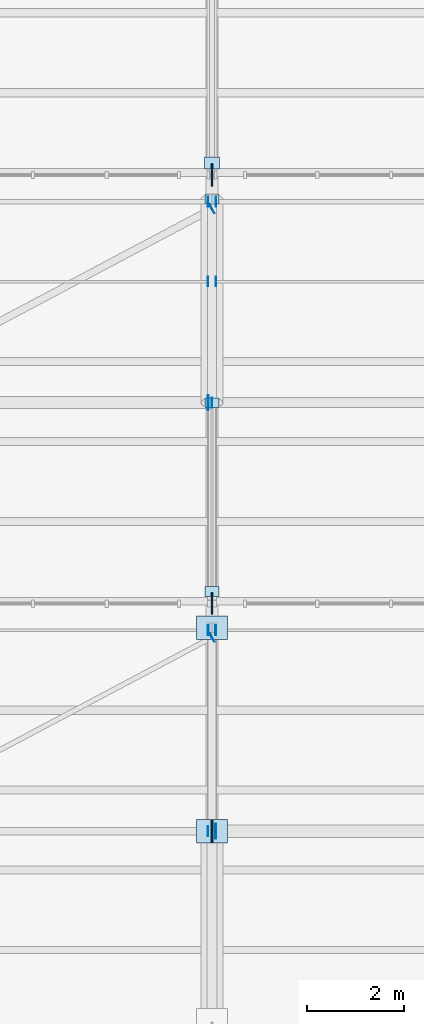
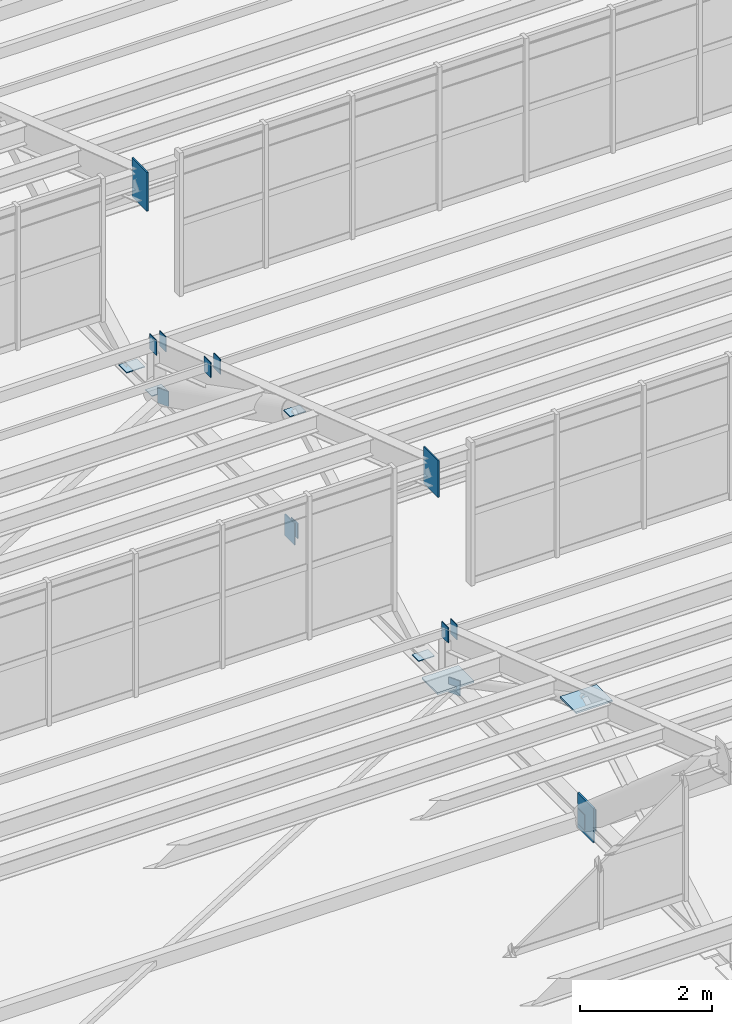
# One storey, part 204 of 285: 21 plates.
"""IFC4 building model written with IfcOpenShell, lengths in metres."""

from ifc_helpers import new_model, si_unit, direction, frame, origin, origin_2d, place, context, subcontext, project, spatial, rectangle, extrude, material, layer, layer_set, type_object, element, save


model = new_model("IFC4")

# Units and contexts
model_context = context("Model", 3, precision=1e-05, world=origin(), true_north=direction((0.0, 1.0)))
body_context = subcontext(model_context, "Body", "Model", "MODEL_VIEW")
ifc_project = project(units=[si_unit("LENGTHUNIT", "METRE"), si_unit("AREAUNIT", "SQUARE_METRE"), si_unit("VOLUMEUNIT", "CUBIC_METRE"), si_unit("PLANEANGLEUNIT", "RADIAN"), si_unit("MASSUNIT", "GRAM", prefix="KILO")], contexts=[model_context])

# Site, building, storey
site_placement = place(None, origin())
site = spatial("IfcSite", under=ifc_project, at=site_placement, CompositionType="ELEMENT")
building_placement = place(site_placement, origin())
building = spatial("IfcBuilding", under=site, at=building_placement, Name="Solanera Park Tramway Depot", CompositionType="ELEMENT")
storey_placement = place(building_placement, origin())
storey = spatial("IfcBuildingStorey", under=building, at=storey_placement, Name="L00", CompositionType="ELEMENT", Elevation=0.0)

# Plates
ifc_material_1 = material(Name="Steel AS/NZS 3679.1 Grade 350", Category="steel")
ifc_layer_1 = layer(ifc_material_1, 0.013916015625)
ifc_layer_set_1 = layer_set([ifc_layer_1], Name="Steel AS/NZS 3679.1 Grade 350")
plate_type_1 = type_object("IfcPlateType", Name="Hollow End Cap and Base Plate 280x200x14", PredefinedType="USERDEFINED", material=ifc_layer_set_1)
for number, where, z_axis, x_axis, name in (
    (1, (29.922119140625, 99.449951171875, 7.30615234375), (0.0, 0.0, 1.0), (1.0, 0.0, 0.0), "Hollow Section Welded End Cap Plate #0484"),
    (2, (30.077880859375, 99.449951171875, 7.30615234375), (0.0, 0.0, 1.0), (1.0, 0.0, 0.0), "Hollow Section Welded End Cap Plate #0485"),
    (3, (29.9150390625, 95.300048828125, 6.35986328125), (0.0, 0.0, 1.0), (1.0, 0.0, 0.0), "Hollow Section Welded End Cap Plate #0502"),
    (4, (30.000732421875, 99.301513671875, 6.35986328125), (0.0, 0.0, 1.0), (0.883520501477, 0.468392488698, 0.0), "Hollow Section Welded End Cap Plate #0504"),
    (5, (30.0, 104.14990234375, 6.35986328125), (0.0, 0.0, 1.0), (1.0, 0.0, 0.0), "Sawtooth Truss Hollow End Cap #0528"),
):
    element("IfcPlate", number, at=place(storey_placement, frame(where, z_axis=z_axis, x_axis=x_axis)), inside=storey, type_object=plate_type_1, Name=name, ObjectType="BASE PLATE", PredefinedType="USERDEFINED", context=body_context, shape_type="SweptSolid", body=[
        extrude(rectangle(XDim=0.013916015625, YDim=0.199951171875, at=origin_2d()), origin(), (0.0, 0.0, 1.0), 0.280029296875),
    ])
for number, where, z_axis, x_axis, name in (
    (6, (30.0, 108.35009765625, 6.4931640625), (0.0, 0.0, 1.0), (1.0, 0.0, 0.0), "Sawtooth Truss Node Cap Plate #0529"),
    (7, (30.0, 104.14990234375, 8.66064453125), (0.0, 0.0, 1.0), (1.0, 0.0, 0.0), "Sawtooth Truss Node Cap Plate #0530"),
    (8, (30.0, 100.25, 6.4931640625), (0.0, 0.0, 1.0), (1.0, 0.0, 0.0), "Sawtooth Truss Node Cap Plate #0531"),
):
    element("IfcPlate", number, at=place(storey_placement, frame(where, z_axis=z_axis, x_axis=x_axis)), inside=storey, type_object=plate_type_1, Name=name, ObjectType="BASE PLATE", PredefinedType="USERDEFINED", context=body_context, shape_type="SweptSolid", body=[
        extrude(rectangle(XDim=0.280029296875, YDim=0.199951171875, at=origin_2d()), origin(), (0.0, 0.0, 1.0), 0.013916015625),
    ])
for number, where, z_axis, x_axis, name in (
    (9, (29.915771484375, 106.64990234375, 7.8583984375), (0.0, 0.0, 1.0), (1.0, 0.0, 0.0), "Hollow Section Welded End Cap Plate #0575"),
    (10, (30.084228515625, 106.64990234375, 7.8583984375), (0.0, 0.0, 1.0), (1.0, 0.0, 0.0), "Hollow Section Welded End Cap Plate #0576"),
    (11, (29.915771484375, 108.300048828125, 7.27294921875), (0.0, 0.0, 1.0), (1.0, 0.0, 0.0), "Hollow Section Welded End Cap Plate #0595"),
    (12, (30.084228515625, 108.300048828125, 7.27294921875), (0.0, 0.0, 1.0), (1.0, 0.0, 0.0), "Hollow Section Welded End Cap Plate #0596"),
    (13, (30.000732421875, 108.1513671875, 6.35986328125), (0.0, 0.0, 1.0), (0.883520501477, 0.468392488698, 0.0), "Hollow Section Welded End Cap Plate #0617"),
):
    element("IfcPlate", number, at=place(storey_placement, frame(where, z_axis=z_axis, x_axis=x_axis)), inside=storey, type_object=plate_type_1, Name=name, ObjectType="BASE PLATE", PredefinedType="USERDEFINED", context=body_context, shape_type="SweptSolid", body=[
        extrude(rectangle(XDim=0.013916015625, YDim=0.199951171875, at=origin_2d()), origin(), (0.0, 0.0, 1.0), 0.280029296875),
    ])
ifc_material_2 = material(Name="Steel AS/NZS 3679.1 Grade 350", Category="steel")
ifc_layer_2 = layer(ifc_material_2, 0.01611328125)
ifc_layer_set_2 = layer_set([ifc_layer_2], Name="Steel AS/NZS 3679.1 Grade 350")
plate_type_2 = type_object("IfcPlateType", Name="Hollow End Cap and Base Plate 320x240x16", PredefinedType="USERDEFINED", material=ifc_layer_set_2)
plate_1_placement = place(storey_placement, frame((30.0, 109.10009765625, 6.491943359375), z_axis=(0.0, 0.0, 1.0), x_axis=(1.0, 0.0, 0.0)))
element("IfcPlate", 14, at=plate_1_placement, inside=storey, type_object=plate_type_2, Name="Sawtooth Truss Node Cap Plate #0642", ObjectType="BASE PLATE", PredefinedType="USERDEFINED", context=body_context, shape_type="SweptSolid", body=[
    extrude(rectangle(XDim=0.320068359375, YDim=0.239990234375, at=origin_2d()), origin(), (0.0, 0.0, 1.0), 0.01611328125),
])
ifc_material_3 = material(Name="Steel AS/NZS 3679.1 Grade 350", Category="steel")
ifc_layer_3 = layer(ifc_material_3, 0.02001953125)
ifc_layer_set_3 = layer_set([ifc_layer_3], Name="Steel AS/NZS 3679.1 Grade 350")
plate_type_3 = type_object("IfcPlateType", Name="Hollow End Cap and Base Plate 400x300x20", PredefinedType="USERDEFINED", material=ifc_layer_set_3)
for number, where, z_axis, x_axis, name in (
    (15, (30.08203125, 95.300048828125, 6.300048828125), (0.0, 0.0, 1.0), (1.0, 0.0, 0.0), "Hollow Section Welded End Cap Plate #0505"),
    (16, (29.91796875, 104.14990234375, 6.300048828125), (0.0, 0.0, 1.0), (1.0, 0.0, 0.0), "Hollow Section Welded End Cap Plate #0615"),
):
    element("IfcPlate", number, at=place(storey_placement, frame(where, z_axis=z_axis, x_axis=x_axis)), inside=storey, type_object=plate_type_3, Name=name, ObjectType="BASE PLATE", PredefinedType="USERDEFINED", context=body_context, shape_type="SweptSolid", body=[
        extrude(rectangle(XDim=0.02001953125, YDim=0.300048828125, at=origin_2d()), origin(), (0.0, 0.0, 1.0), 0.39990234375),
    ])
ifc_material_4 = material(Name="Steel AS/NZS 3679.1 Grade 350", Category="steel")
ifc_layer_4 = layer(ifc_material_4, 0.031982421875)
ifc_layer_set_4 = layer_set([ifc_layer_4], Name="Steel AS/NZS 3679.1 Grade 350")
plate_type_4 = type_object("IfcPlateType", Name="Hollow End Cap and Base Plate 640x480x32", PredefinedType="USERDEFINED", material=ifc_layer_set_4)
plate_2_placement = place(storey_placement, frame((30.0, 95.300048828125, 6.18017578125), z_axis=(0.0, 0.0, 1.0), x_axis=(1.0, 0.0, 0.0)))
element("IfcPlate", 17, at=plate_2_placement, inside=storey, type_object=plate_type_4, Name="Sawtooth Truss Hollow End Cap #0437", ObjectType="BASE PLATE", PredefinedType="USERDEFINED", context=body_context, shape_type="SweptSolid", body=[
    extrude(rectangle(XDim=0.031982421875, YDim=0.47998046875, at=origin_2d()), origin(), (0.0, 0.0, 1.0), 0.639892578125),
])
for number, where, z_axis, x_axis, name in (
    (18, (30.0, 99.5, 6.48388671875), (0.0, 0.0, 1.0), (1.0, 0.0, 0.0), "Sawtooth Truss Node Cap Plate #0438"),
    (19, (30.0, 95.300048828125, 8.67724609375), (0.0, 0.0, 1.0), (1.0, 0.0, 0.0), "Sawtooth Truss Node Cap Plate #0439"),
):
    element("IfcPlate", number, at=place(storey_placement, frame(where, z_axis=z_axis, x_axis=x_axis)), inside=storey, type_object=plate_type_4, Name=name, ObjectType="BASE PLATE", PredefinedType="USERDEFINED", context=body_context, shape_type="SweptSolid", body=[
        extrude(rectangle(XDim=0.639892578125, YDim=0.47998046875, at=origin_2d()), origin(), (0.0, 0.0, 1.0), 0.031982421875),
    ])
ifc_material_5 = material(Name="Steel AS/NZS 3679.1 Grade 350", Category="steel")
ifc_layer_5 = layer(ifc_material_5, 0.02392578125)
ifc_layer_set_5 = layer_set([ifc_layer_5], Name="Steel AS/NZS 3679.1 Grade 350")
plate_type_5 = type_object("IfcPlateType", Name="Truss Node Gusset Stiffener 680x440x24", PredefinedType="SHEET", material=ifc_layer_set_5)
plate_3_placement = place(storey_placement, frame((30.0, 100.0, 9.71630859375), z_axis=(0.0, 0.0, 1.0), x_axis=(1.0, 0.0, 0.0)))
element("IfcPlate", 20, at=plate_3_placement, inside=storey, type_object=plate_type_5, Name="Sawtooth Truss Apex Gusset Plate #0527", PredefinedType="SHEET", context=body_context, shape_type="SweptSolid", body=[
    extrude(rectangle(XDim=0.02392578125, YDim=0.43994140625, at=origin_2d()), origin(), (0.0, 0.0, 1.0), 0.679931640625),
])
ifc_material_6 = material(Name="Steel AS/NZS 3679.1 Grade 350", Category="steel")
ifc_layer_6 = layer(ifc_material_6, 0.02490234375)
ifc_layer_set_6 = layer_set([ifc_layer_6], Name="Steel AS/NZS 3679.1 Grade 350")
plate_type_6 = type_object("IfcPlateType", Name="Truss Node Gusset Stiffener 720x460x25", PredefinedType="SHEET", material=ifc_layer_set_6)
plate_4_placement = place(storey_placement, frame((30.0, 108.85009765625, 9.658203125), z_axis=(0.0, 0.0, 1.0), x_axis=(1.0, 0.0, 0.0)))
element("IfcPlate", 21, at=plate_4_placement, inside=storey, type_object=plate_type_6, Name="Sawtooth Truss Apex Gusset Plate #0638", PredefinedType="SHEET", context=body_context, shape_type="SweptSolid", body=[
    extrude(rectangle(XDim=0.02490234375, YDim=0.4599609375, at=origin_2d()), origin(), (0.0, 0.0, 1.0), 0.719970703125),
])

save(model, "model.ifc")
